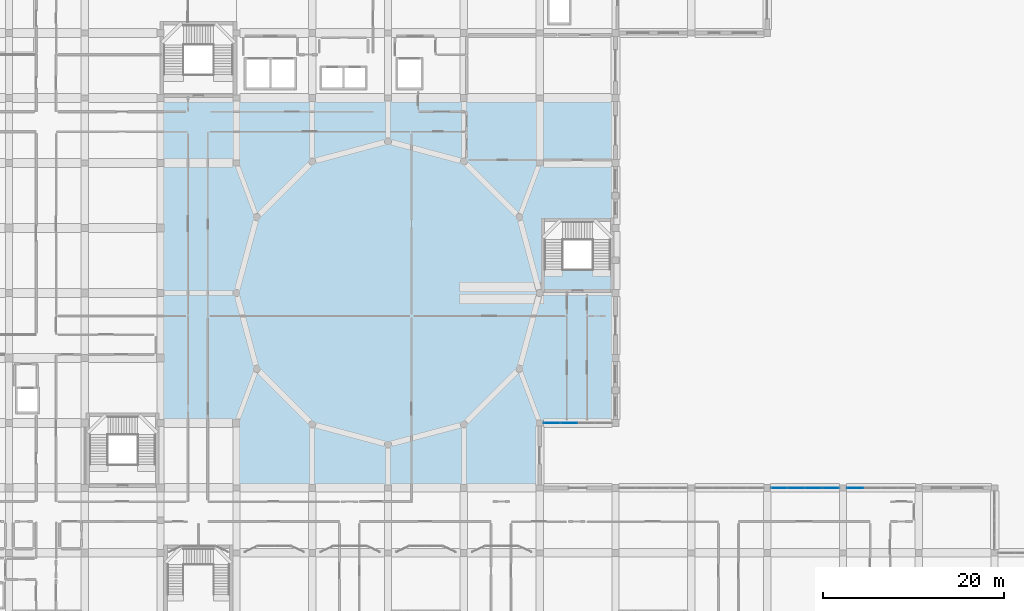
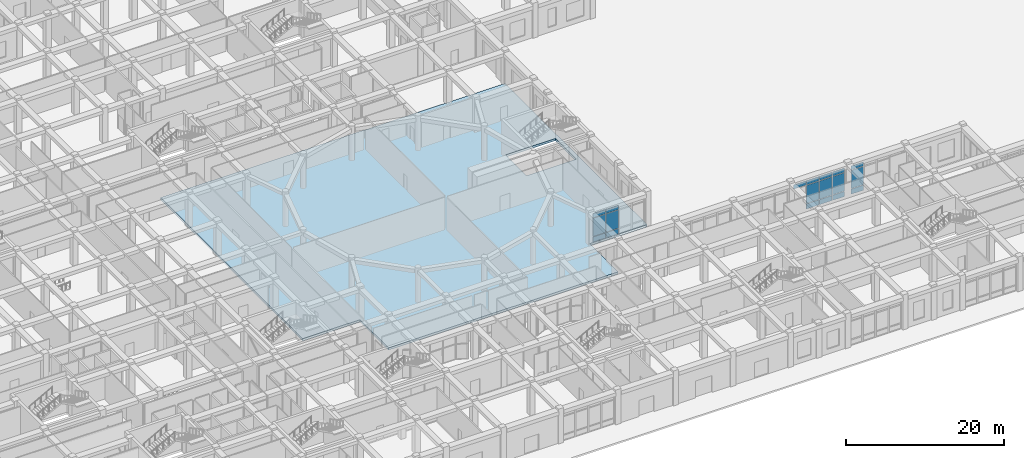
# One storey, part 53 of 84: 19 plates, 1 slab, 3 elements without a shape of their own.
"""IFC4 building model written with IfcOpenShell, lengths in metres."""

from ifc_helpers import new_model, si_unit, derived_unit, direction, frame, origin, origin_2d, place, context, subcontext, project, spatial, polyline, rectangle, outline, extrude, material, layer, layer_set, type_object, element, aggregate, save


model = new_model("IFC4")

# Units and contexts
model_context = context("Model", 3, precision=1e-05, world=origin(), true_north=direction((0.0, 1.0)))
body_context = subcontext(model_context, "Body", "Model", "MODEL_VIEW")
ifc_project = project(units=[si_unit("LENGTHUNIT", "METRE"), si_unit("AREAUNIT", "SQUARE_METRE"), si_unit("VOLUMEUNIT", "CUBIC_METRE"), si_unit("PLANEANGLEUNIT", "RADIAN"), si_unit("MASSUNIT", "GRAM", prefix="KILO"), derived_unit("THERMALTRANSMITTANCEUNIT", [(si_unit("POWERUNIT", "WATT"), 1), (si_unit("LENGTHUNIT", "METRE"), -2), (si_unit("THERMODYNAMICTEMPERATUREUNIT", "KELVIN"), -1)])], contexts=[model_context])

# Site, building, storey
site_placement = place(None, origin())
site = spatial("IfcSite", under=ifc_project, at=site_placement, CompositionType="ELEMENT")
building_placement = place(site_placement, origin())
building = spatial("IfcBuilding", under=site, at=building_placement, Name="Veybourne Emporium", CompositionType="ELEMENT")
storey_placement = place(building_placement, origin())
storey = spatial("IfcBuildingStorey", under=building, at=storey_placement, Name="L00", CompositionType="ELEMENT", Elevation=0.0)

# Curtain wall, plates
ifc_material_1 = material(Name="Patinated Architectural Bronze", Category="bronze")
curtain_wall_type_1 = type_object("IfcCurtainWallType", Name="CWSystem_CWS-06", PredefinedType="NOTDEFINED", material=ifc_material_1)
curtain_wall_1_placement = place(storey_placement, origin())
curtain_wall_1 = element("IfcCurtainWall", 1, at=curtain_wall_1_placement, inside=storey, type_object=curtain_wall_type_1, Name="L00 bronze glazed curtain wall CWS-06 (042)", PredefinedType="NOTDEFINED")
ifc_material_2 = material(Name="Solar Control Laminated Glass", Category="glass")
ifc_layer_1 = layer(ifc_material_2, 0.035888671875)
ifc_layer_set_1 = layer_set([ifc_layer_1], Name="Solar Control Laminated Glass")
plate_type = type_object("IfcPlateType", Name="CWPanel_CW-P2", PredefinedType="CURTAIN_PANEL", material=ifc_layer_set_1)
plate_1_placement = place(storey_placement, frame((95.659423828125, 36.0, 0.074951171875), z_axis=(0.0, 0.0, 1.0), x_axis=(-1.0, 0.0, 0.0)))
plate_1 = element("IfcPlate", 2, at=plate_1_placement, type_object=plate_type, Name="CWS-06 panel 3.1", PredefinedType="CURTAIN_PANEL", context=body_context, shape_type="SweptSolid", body=[
    extrude(rectangle(XDim=1.831298828125, YDim=0.035888671875, at=origin_2d()), origin(), (0.0, 0.0, 1.0), 0.78759765625),
])
plate_2_placement = place(storey_placement, frame((95.659423828125, 36.0, 0.9375), z_axis=(0.0, 0.0, 1.0), x_axis=(-1.0, 0.0, 0.0)))
plate_2 = element("IfcPlate", 3, at=plate_2_placement, type_object=plate_type, Name="CWS-06 panel 3.2", PredefinedType="CURTAIN_PANEL", context=body_context, shape_type="SweptSolid", body=[
    extrude(rectangle(XDim=1.831298828125, YDim=0.035888671875, at=origin_2d()), origin(), (0.0, 0.0, 1.0), 2.804931640625),
])
plate_3_placement = place(storey_placement, frame((95.659423828125, 36.0, 3.8173828125), z_axis=(0.0, 0.0, 1.0), x_axis=(-1.0, 0.0, 0.0)))
plate_3 = element("IfcPlate", 4, at=plate_3_placement, type_object=plate_type, Name="CWS-06 panel 3.3", PredefinedType="CURTAIN_PANEL", context=body_context, shape_type="SweptSolid", body=[
    extrude(rectangle(XDim=1.831298828125, YDim=0.035888671875, at=origin_2d()), origin(), (0.0, 0.0, 1.0), 0.637451171875),
])
plate_4_placement = place(storey_placement, frame((93.77197265625, 36.0, 0.074951171875), z_axis=(0.0, 0.0, 1.0), x_axis=(-1.0, 0.0, 0.0)))
plate_4 = element("IfcPlate", 5, at=plate_4_placement, type_object=plate_type, Name="CWS-06 panel 4.1", PredefinedType="CURTAIN_PANEL", context=body_context, shape_type="SweptSolid", body=[
    extrude(rectangle(XDim=1.793701171875, YDim=0.035888671875, at=origin_2d()), origin(), (0.0, 0.0, 1.0), 0.78759765625),
])
plate_5_placement = place(storey_placement, frame((93.77197265625, 36.0, 0.9375), z_axis=(0.0, 0.0, 1.0), x_axis=(-1.0, 0.0, 0.0)))
plate_5 = element("IfcPlate", 6, at=plate_5_placement, type_object=plate_type, Name="CWS-06 panel 4.2", PredefinedType="CURTAIN_PANEL", context=body_context, shape_type="SweptSolid", body=[
    extrude(rectangle(XDim=1.793701171875, YDim=0.035888671875, at=origin_2d()), origin(), (0.0, 0.0, 1.0), 2.804931640625),
])
plate_6_placement = place(storey_placement, frame((93.77197265625, 36.0, 3.8173828125), z_axis=(0.0, 0.0, 1.0), x_axis=(-1.0, 0.0, 0.0)))
plate_6 = element("IfcPlate", 7, at=plate_6_placement, type_object=plate_type, Name="CWS-06 panel 4.3", PredefinedType="CURTAIN_PANEL", context=body_context, shape_type="SweptSolid", body=[
    extrude(rectangle(XDim=1.793701171875, YDim=0.035888671875, at=origin_2d()), origin(), (0.0, 0.0, 1.0), 0.637451171875),
])
aggregate(curtain_wall_1, [plate_1, plate_2, plate_3, plate_4, plate_5, plate_6])

curtain_wall_type_2 = type_object("IfcCurtainWallType", Name="CWSystem_CWS-13", PredefinedType="NOTDEFINED", material=ifc_material_1)
curtain_wall_2_placement = place(storey_placement, origin())
curtain_wall_2 = element("IfcCurtainWall", 8, at=curtain_wall_2_placement, inside=storey, type_object=curtain_wall_type_2, Name="L00 bronze glazed curtain wall CWS-13 (064)", PredefinedType="NOTDEFINED")
plate_7_placement = place(storey_placement, frame((118.946044921875, 28.800048828125, 3.81591796875), z_axis=(0.0, 0.0, 1.0), x_axis=(1.0, 0.0, 0.0)))
plate_7 = element("IfcPlate", 9, at=plate_7_placement, type_object=plate_type, Name="CWS-13 panel 1.3", PredefinedType="CURTAIN_PANEL", context=body_context, shape_type="SweptSolid", body=[
    extrude(rectangle(XDim=1.79833984375, YDim=0.035888671875, at=origin_2d()), origin(), (0.0, 0.0, 1.0), 0.64208984375),
])
plate_8_placement = place(storey_placement, frame((120.83447265625, 28.800048828125, 0.072021484375), z_axis=(0.0, 0.0, 1.0), x_axis=(1.0, 0.0, 0.0)))
plate_8 = element("IfcPlate", 10, at=plate_8_placement, type_object=plate_type, Name="CWS-13 panel 2.1", PredefinedType="CURTAIN_PANEL", context=body_context, shape_type="SweptSolid", body=[
    extrude(rectangle(XDim=1.834228515625, YDim=0.035888671875, at=origin_2d()), origin(), (0.0, 0.0, 1.0), 0.7919921875),
])
plate_9_placement = place(storey_placement, frame((120.83447265625, 28.800048828125, 0.93603515625), z_axis=(0.0, 0.0, 1.0), x_axis=(1.0, 0.0, 0.0)))
plate_9 = element("IfcPlate", 11, at=plate_9_placement, type_object=plate_type, Name="CWS-13 panel 2.2", PredefinedType="CURTAIN_PANEL", context=body_context, shape_type="SweptSolid", body=[
    extrude(rectangle(XDim=1.834228515625, YDim=0.035888671875, at=origin_2d()), origin(), (0.0, 0.0, 1.0), 2.80810546875),
])
plate_10_placement = place(storey_placement, frame((120.83447265625, 28.800048828125, 3.81591796875), z_axis=(0.0, 0.0, 1.0), x_axis=(1.0, 0.0, 0.0)))
plate_10 = element("IfcPlate", 12, at=plate_10_placement, type_object=plate_type, Name="CWS-13 panel 2.3", PredefinedType="CURTAIN_PANEL", context=body_context, shape_type="SweptSolid", body=[
    extrude(rectangle(XDim=1.834228515625, YDim=0.035888671875, at=origin_2d()), origin(), (0.0, 0.0, 1.0), 0.64208984375),
])
plate_11_placement = place(storey_placement, frame((122.74072265625, 28.800048828125, 0.072021484375), z_axis=(0.0, 0.0, 1.0), x_axis=(1.0, 0.0, 0.0)))
plate_11 = element("IfcPlate", 13, at=plate_11_placement, type_object=plate_type, Name="CWS-13 panel 3.1", PredefinedType="CURTAIN_PANEL", context=body_context, shape_type="SweptSolid", body=[
    extrude(rectangle(XDim=1.834228515625, YDim=0.035888671875, at=origin_2d()), origin(), (0.0, 0.0, 1.0), 0.7919921875),
])
plate_12_placement = place(storey_placement, frame((122.74072265625, 28.800048828125, 0.93603515625), z_axis=(0.0, 0.0, 1.0), x_axis=(1.0, 0.0, 0.0)))
plate_12 = element("IfcPlate", 14, at=plate_12_placement, type_object=plate_type, Name="CWS-13 panel 3.2", PredefinedType="CURTAIN_PANEL", context=body_context, shape_type="SweptSolid", body=[
    extrude(rectangle(XDim=1.834228515625, YDim=0.035888671875, at=origin_2d()), origin(), (0.0, 0.0, 1.0), 2.80810546875),
])
plate_13_placement = place(storey_placement, frame((122.74072265625, 28.800048828125, 3.81591796875), z_axis=(0.0, 0.0, 1.0), x_axis=(1.0, 0.0, 0.0)))
plate_13 = element("IfcPlate", 15, at=plate_13_placement, type_object=plate_type, Name="CWS-13 panel 3.3", PredefinedType="CURTAIN_PANEL", context=body_context, shape_type="SweptSolid", body=[
    extrude(rectangle(XDim=1.834228515625, YDim=0.035888671875, at=origin_2d()), origin(), (0.0, 0.0, 1.0), 0.64208984375),
])
plate_14_placement = place(storey_placement, frame((124.62890625, 28.800048828125, 0.072021484375), z_axis=(0.0, 0.0, 1.0), x_axis=(1.0, 0.0, 0.0)))
plate_14 = element("IfcPlate", 16, at=plate_14_placement, type_object=plate_type, Name="CWS-13 panel 4.1", PredefinedType="CURTAIN_PANEL", context=body_context, shape_type="SweptSolid", body=[
    extrude(rectangle(XDim=1.79833984375, YDim=0.035888671875, at=origin_2d()), origin(), (0.0, 0.0, 1.0), 0.7919921875),
])
plate_15_placement = place(storey_placement, frame((124.62890625, 28.800048828125, 0.93603515625), z_axis=(0.0, 0.0, 1.0), x_axis=(1.0, 0.0, 0.0)))
plate_15 = element("IfcPlate", 17, at=plate_15_placement, type_object=plate_type, Name="CWS-13 panel 4.2", PredefinedType="CURTAIN_PANEL", context=body_context, shape_type="SweptSolid", body=[
    extrude(rectangle(XDim=1.79833984375, YDim=0.035888671875, at=origin_2d()), origin(), (0.0, 0.0, 1.0), 2.80810546875),
])
plate_16_placement = place(storey_placement, frame((124.62890625, 28.800048828125, 3.81591796875), z_axis=(0.0, 0.0, 1.0), x_axis=(1.0, 0.0, 0.0)))
plate_16 = element("IfcPlate", 18, at=plate_16_placement, type_object=plate_type, Name="CWS-13 panel 4.3", PredefinedType="CURTAIN_PANEL", context=body_context, shape_type="SweptSolid", body=[
    extrude(rectangle(XDim=1.79833984375, YDim=0.035888671875, at=origin_2d()), origin(), (0.0, 0.0, 1.0), 0.64208984375),
])
aggregate(curtain_wall_2, [plate_7, plate_8, plate_9, plate_10, plate_11, plate_12, plate_13, plate_14, plate_15, plate_16])

curtain_wall_type_3 = type_object("IfcCurtainWallType", Name="CWSystem_CWS-15", PredefinedType="NOTDEFINED", material=ifc_material_1)
curtain_wall_3_placement = place(storey_placement, origin())
curtain_wall_3 = element("IfcCurtainWall", 19, at=curtain_wall_3_placement, inside=storey, type_object=curtain_wall_type_3, Name="L00 bronze glazed curtain wall CWS-15 (066)", PredefinedType="NOTDEFINED")
plate_17_placement = place(storey_placement, frame((127.37255859375, 28.800048828125, 0.078125), z_axis=(0.0, 0.0, 1.0), x_axis=(1.0, 0.0, 0.0)))
plate_17 = element("IfcPlate", 20, at=plate_17_placement, type_object=plate_type, Name="CWS-15 panel 1.1", PredefinedType="CURTAIN_PANEL", context=body_context, shape_type="SweptSolid", body=[
    extrude(rectangle(XDim=1.789306640625, YDim=0.035888671875, at=origin_2d()), origin(), (0.0, 0.0, 1.0), 0.782958984375),
])
plate_18_placement = place(storey_placement, frame((127.37255859375, 28.800048828125, 0.93896484375), z_axis=(0.0, 0.0, 1.0), x_axis=(1.0, 0.0, 0.0)))
plate_18 = element("IfcPlate", 21, at=plate_18_placement, type_object=plate_type, Name="CWS-15 panel 1.2", PredefinedType="CURTAIN_PANEL", context=body_context, shape_type="SweptSolid", body=[
    extrude(rectangle(XDim=1.789306640625, YDim=0.035888671875, at=origin_2d()), origin(), (0.0, 0.0, 1.0), 2.802001953125),
])
plate_19_placement = place(storey_placement, frame((127.37255859375, 28.800048828125, 3.81884765625), z_axis=(0.0, 0.0, 1.0), x_axis=(1.0, 0.0, 0.0)))
plate_19 = element("IfcPlate", 22, at=plate_19_placement, type_object=plate_type, Name="CWS-15 panel 1.3", PredefinedType="CURTAIN_PANEL", context=body_context, shape_type="SweptSolid", body=[
    extrude(rectangle(XDim=1.789306640625, YDim=0.035888671875, at=origin_2d()), origin(), (0.0, 0.0, 1.0), 0.633056640625),
])
aggregate(curtain_wall_3, [plate_17, plate_18, plate_19])

# Slab
ifc_material_3 = material(Name="Concrete C32/40", Category="concrete")
ifc_layer_2 = layer(ifc_material_3, 0.35009765625)
ifc_layer_set_2 = layer_set([ifc_layer_2], Name="Concrete C32/40")
slab_type = type_object("IfcSlabType", Name="Slab_FS-01", PredefinedType="FLOOR", material=ifc_layer_set_2)
slab_placement = place(storey_placement, frame((0.0, 0.0, -0.35009765625)))
element("IfcSlab", 23, at=slab_placement, inside=storey, type_object=slab_type, Name="L00 floor slab FS-01 (V2.1)", PredefinedType="FLOOR", context=body_context, shape_type="SweptSolid", body=[
    extrude(outline(polyline([(50.39990234375, 36.0), (50.39990234375, 43.199951171875), (50.39990234375, 50.39990234375), (50.39990234375, 57.60009765625), (50.39990234375, 64.800048828125), (50.39990234375, 72.0), (58.800048828125, 72.0), (67.199951171875, 72.0), (75.60009765625, 72.0), (84.0, 72.0), (92.39990234375, 72.0), (100.800048828125, 72.0), (100.800048828125, 64.800048828125), (100.800048828125, 57.60009765625), (100.800048828125, 50.39990234375), (100.800048828125, 43.199951171875), (100.800048828125, 36.0), (92.39990234375, 36.0), (92.39990234375, 28.800048828125), (84.0, 28.800048828125), (75.60009765625, 28.800048828125), (67.199951171875, 28.800048828125), (58.800048828125, 28.800048828125), (58.800048828125, 36.0), (50.39990234375, 36.0)]), holes=[polyline([(100.25, 53.0), (100.25, 58.300048828125), (92.949951171875, 58.300048828125), (92.949951171875, 53.0), (100.25, 53.0)])]), origin(), (0.0, 0.0, 1.0), 0.35009765625),
])

save(model, "model.ifc")
